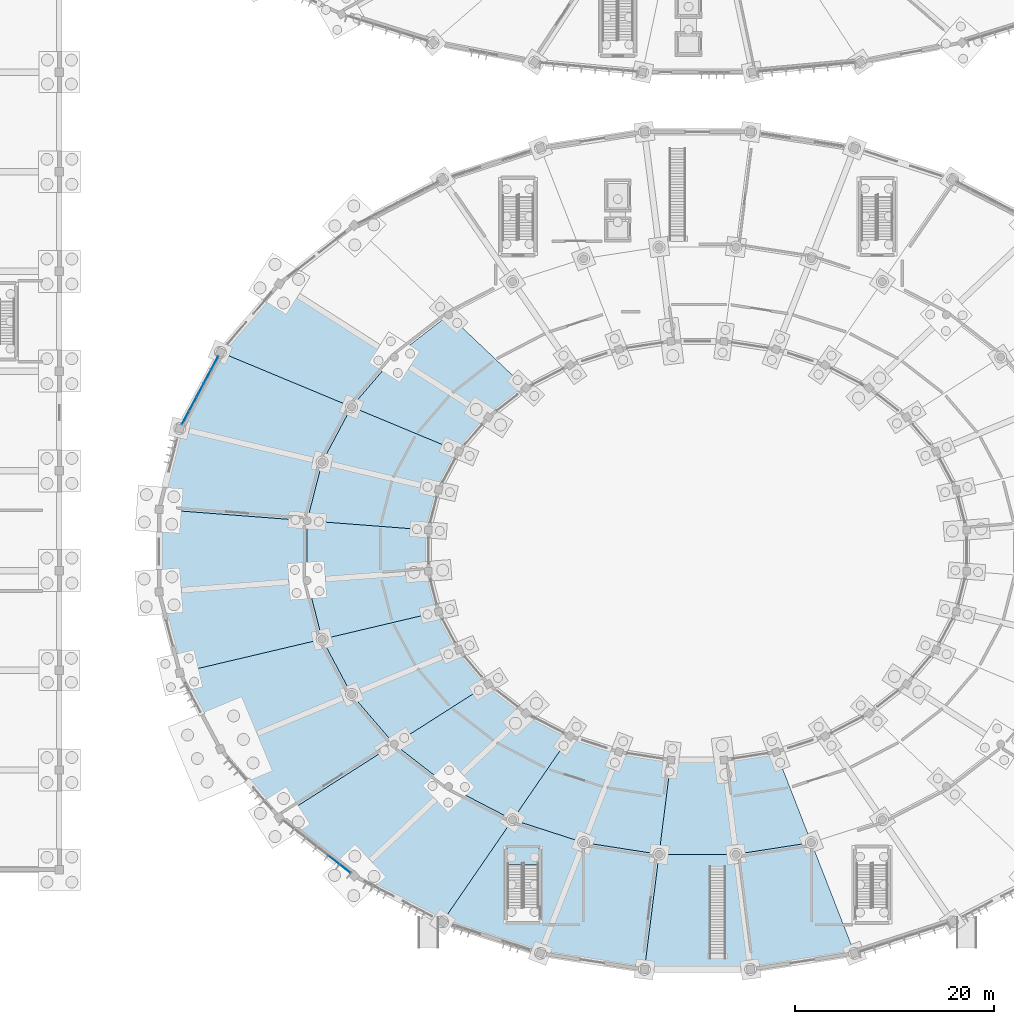
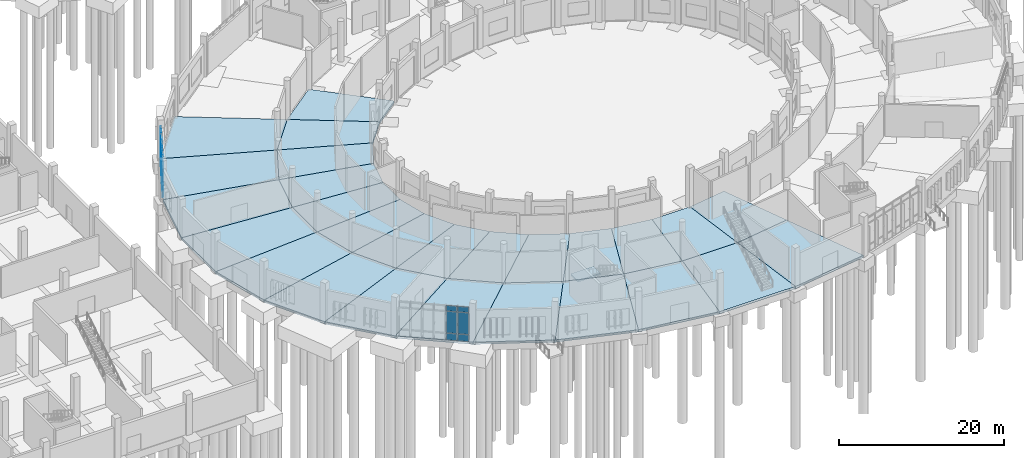
# One storey, part 58 of 140: 28 slabs, 21 plates, 3 elements without a shape of their own.
"""IFC4 building model written with IfcOpenShell, lengths in metres."""

from ifc_helpers import new_model, si_unit, direction, frame, origin, origin_2d, place, context, subcontext, project, spatial, polyline, rectangle, outline, extrude, material, layer, layer_set, type_object, element, aggregate, save


model = new_model("IFC4")

# Units and contexts
model_context = context("Model", 3, precision=1e-05, world=origin(), true_north=direction((0.0, 1.0)))
body_context = subcontext(model_context, "Body", "Model", "MODEL_VIEW")
ifc_project = project(units=[si_unit("LENGTHUNIT", "METRE"), si_unit("AREAUNIT", "SQUARE_METRE"), si_unit("VOLUMEUNIT", "CUBIC_METRE"), si_unit("PLANEANGLEUNIT", "RADIAN"), si_unit("MASSUNIT", "GRAM", prefix="KILO")], contexts=[model_context])

# Site, building, storey
site_placement = place(None, origin())
site = spatial("IfcSite", under=ifc_project, at=site_placement, CompositionType="ELEMENT")
building_placement = place(site_placement, origin())
building = spatial("IfcBuilding", under=site, at=building_placement, Name="Corvandel Quay Wholesale Market", CompositionType="ELEMENT")
storey_placement = place(building_placement, origin())
storey = spatial("IfcBuildingStorey", under=building, at=storey_placement, Name="L00", CompositionType="ELEMENT", Elevation=0.0)

# Curtain wall, plates
ifc_material_1 = material(Name="Bronze anodised aluminium and low-E insulated glazing", Category="aluminium")
ifc_layer_1 = layer(ifc_material_1, 0.197998046875)
ifc_layer_set_1 = layer_set([ifc_layer_1], Name="Bronze anodised aluminium and low-E insulated glazing")
curtain_wall_type_1 = type_object("IfcCurtainWallType", Name="Stick Curtain Wall System CW14 H4260", PredefinedType="NOTDEFINED", material=ifc_layer_set_1)
curtain_wall_1_placement = place(storey_placement, origin())
curtain_wall_1 = element("IfcCurtainWall", 1, at=curtain_wall_1_placement, inside=storey, type_object=curtain_wall_type_1, Name="Curtain Wall CW-0040", PredefinedType="NOTDEFINED")
ifc_material_2 = material(Name="Solar-control low-E insulated glazing", Category="glass")
ifc_layer_2 = layer(ifc_material_2, 0.0400390625)
ifc_layer_set_2 = layer_set([ifc_layer_2], Name="Solar-control low-E insulated glazing")
plate_type_1 = type_object("IfcPlateType", Name="Ceramic Fritted Spandrel Panel PN03 40mm", PredefinedType="CURTAIN_PANEL", material=ifc_layer_set_2)
plate_1_placement = place(storey_placement, frame((65.569580078125, 60.81201171875, 4.33251953125), z_axis=(0.0, 0.0, 1.0), x_axis=(0.470087862033, 0.882619624736, 0.0)))
plate_1 = element("IfcPlate", 2, at=plate_1_placement, type_object=plate_type_1, Name="Glazing Panel CW-0040-P00-2", PredefinedType="CURTAIN_PANEL", context=body_context, shape_type="SweptSolid", body=[
    extrude(rectangle(XDim=1.48681640625, YDim=0.0400390625, at=origin_2d()), origin(), (0.0, 0.0, 1.0), 0.784912109375),
])
plate_2_placement = place(storey_placement, frame((64.840087890625, 59.442138671875, 4.33251953125), z_axis=(0.0, 0.0, 1.0), x_axis=(0.470087862033, 0.882619624736, 0.0)))
plate_2 = element("IfcPlate", 3, at=plate_2_placement, type_object=plate_type_1, Name="Glazing Panel CW-0040-P01-2", PredefinedType="CURTAIN_PANEL", context=body_context, shape_type="SweptSolid", body=[
    extrude(rectangle(XDim=1.48681640625, YDim=0.0400390625, at=origin_2d()), origin(), (0.0, 0.0, 1.0), 0.784912109375),
])
plate_3_placement = place(storey_placement, frame((64.110595703125, 58.072509765625, 4.33251953125), z_axis=(0.0, 0.0, 1.0), x_axis=(0.470087862033, 0.882619624736, 0.0)))
plate_3 = element("IfcPlate", 4, at=plate_3_placement, type_object=plate_type_1, Name="Glazing Panel CW-0040-P02-2", PredefinedType="CURTAIN_PANEL", context=body_context, shape_type="SweptSolid", body=[
    extrude(rectangle(XDim=1.48681640625, YDim=0.0400390625, at=origin_2d()), origin(), (0.0, 0.0, 1.0), 0.784912109375),
])
plate_4_placement = place(storey_placement, frame((63.380859375, 56.702880859375, 4.33251953125), z_axis=(0.0, 0.0, 1.0), x_axis=(0.470087862033, 0.882619624736, 0.0)))
plate_4 = element("IfcPlate", 5, at=plate_4_placement, type_object=plate_type_1, Name="Glazing Panel CW-0040-P03-2", PredefinedType="CURTAIN_PANEL", context=body_context, shape_type="SweptSolid", body=[
    extrude(rectangle(XDim=1.48681640625, YDim=0.0400390625, at=origin_2d()), origin(), (0.0, 0.0, 1.0), 0.784912109375),
])
plate_5_placement = place(storey_placement, frame((62.6513671875, 55.3330078125, 4.33251953125), z_axis=(0.0, 0.0, 1.0), x_axis=(0.470087862033, 0.882619624736, 0.0)))
plate_5 = element("IfcPlate", 6, at=plate_5_placement, type_object=plate_type_1, Name="Glazing Panel CW-0040-P04-2", PredefinedType="CURTAIN_PANEL", context=body_context, shape_type="SweptSolid", body=[
    extrude(rectangle(XDim=1.48681640625, YDim=0.0400390625, at=origin_2d()), origin(), (0.0, 0.0, 1.0), 0.784912109375),
])

ifc_layer_3 = layer(ifc_material_1, 0.14990234375)
ifc_layer_set_3 = layer_set([ifc_layer_3], Name="Bronze anodised aluminium and low-E insulated glazing")
curtain_wall_type_2 = type_object("IfcCurtainWallType", Name="Stick Curtain Wall System CW20 H4800", PredefinedType="NOTDEFINED", material=ifc_layer_set_3)
curtain_wall_2_placement = place(storey_placement, origin())
curtain_wall_2 = element("IfcCurtainWall", 7, at=curtain_wall_2_placement, inside=storey, type_object=curtain_wall_type_2, Name="Curtain Wall CW-0057", PredefinedType="NOTDEFINED")
plate_6_placement = place(storey_placement, frame((77.518798828125, 10.976806640625, 4.33251953125), z_axis=(0.0, 0.0, 1.0), x_axis=(-0.789298462742, 0.614009720373, 0.0)))
plate_6 = element("IfcPlate", 8, at=plate_6_placement, type_object=plate_type_1, Name="Glazing Panel CW-0057-P04-2", PredefinedType="CURTAIN_PANEL", context=body_context, shape_type="SweptSolid", body=[
    extrude(rectangle(XDim=1.373291015625, YDim=0.0400390625, at=origin_2d()), origin(), (0.0, 0.0, 1.0), 0.784912109375),
])
plate_7_placement = place(storey_placement, frame((78.654296875, 10.09375, 4.33251953125), z_axis=(0.0, 0.0, 1.0), x_axis=(-0.789298462742, 0.614009720373, 0.0)))
plate_7 = element("IfcPlate", 9, at=plate_7_placement, type_object=plate_type_1, Name="Glazing Panel CW-0057-P05-2", PredefinedType="CURTAIN_PANEL", context=body_context, shape_type="SweptSolid", body=[
    extrude(rectangle(XDim=1.373291015625, YDim=0.0400390625, at=origin_2d()), origin(), (0.0, 0.0, 1.0), 0.784912109375),
])

# Plate
ifc_layer_4 = layer(ifc_material_2, 0.028076171875)
ifc_layer_set_4 = layer_set([ifc_layer_4], Name="Solar-control low-E insulated glazing")
plate_type_2 = type_object("IfcPlateType", Name="Double Low-E Vision Panel PN01 28mm", PredefinedType="CURTAIN_PANEL", material=ifc_layer_set_4)
plate_8_placement = place(storey_placement, frame((65.569580078125, 60.81201171875, 0.0322265625), z_axis=(0.0, 0.0, 1.0), x_axis=(0.470087862033, 0.882619624736, 0.0)))
plate_8 = element("IfcPlate", 10, at=plate_8_placement, type_object=plate_type_2, Name="Glazing Panel CW-0040-P00-0", PredefinedType="CURTAIN_PANEL", context=body_context, shape_type="SweptSolid", body=[
    extrude(rectangle(XDim=1.48681640625, YDim=0.028076171875, at=origin_2d()), origin(), (0.0, 0.0, 1.0), 0.985107421875),
])

plate_9_placement = place(storey_placement, frame((65.569580078125, 60.81201171875, 1.08251953125), z_axis=(0.0, 0.0, 1.0), x_axis=(0.470087862033, 0.882619624736, 0.0)))
plate_9 = element("IfcPlate", 11, at=plate_9_placement, type_object=plate_type_2, Name="Glazing Panel CW-0040-P00-1", PredefinedType="CURTAIN_PANEL", context=body_context, shape_type="SweptSolid", body=[
    extrude(rectangle(XDim=1.48681640625, YDim=0.028076171875, at=origin_2d()), origin(), (0.0, 0.0, 1.0), 3.18505859375),
])

plate_10_placement = place(storey_placement, frame((64.840087890625, 59.442138671875, 0.0322265625), z_axis=(0.0, 0.0, 1.0), x_axis=(0.470087862033, 0.882619624736, 0.0)))
plate_10 = element("IfcPlate", 12, at=plate_10_placement, type_object=plate_type_2, Name="Glazing Panel CW-0040-P01-0", PredefinedType="CURTAIN_PANEL", context=body_context, shape_type="SweptSolid", body=[
    extrude(rectangle(XDim=1.48681640625, YDim=0.028076171875, at=origin_2d()), origin(), (0.0, 0.0, 1.0), 0.985107421875),
])

plate_11_placement = place(storey_placement, frame((64.840087890625, 59.442138671875, 1.08251953125), z_axis=(0.0, 0.0, 1.0), x_axis=(0.470087862033, 0.882619624736, 0.0)))
plate_11 = element("IfcPlate", 13, at=plate_11_placement, type_object=plate_type_2, Name="Glazing Panel CW-0040-P01-1", PredefinedType="CURTAIN_PANEL", context=body_context, shape_type="SweptSolid", body=[
    extrude(rectangle(XDim=1.48681640625, YDim=0.028076171875, at=origin_2d()), origin(), (0.0, 0.0, 1.0), 3.18505859375),
])

plate_12_placement = place(storey_placement, frame((64.110595703125, 58.072509765625, 0.0322265625), z_axis=(0.0, 0.0, 1.0), x_axis=(0.470087862033, 0.882619624736, 0.0)))
plate_12 = element("IfcPlate", 14, at=plate_12_placement, type_object=plate_type_2, Name="Glazing Panel CW-0040-P02-0", PredefinedType="CURTAIN_PANEL", context=body_context, shape_type="SweptSolid", body=[
    extrude(rectangle(XDim=1.48681640625, YDim=0.028076171875, at=origin_2d()), origin(), (0.0, 0.0, 1.0), 0.985107421875),
])

plate_13_placement = place(storey_placement, frame((64.110595703125, 58.072509765625, 1.08251953125), z_axis=(0.0, 0.0, 1.0), x_axis=(0.470087862033, 0.882619624736, 0.0)))
plate_13 = element("IfcPlate", 15, at=plate_13_placement, type_object=plate_type_2, Name="Glazing Panel CW-0040-P02-1", PredefinedType="CURTAIN_PANEL", context=body_context, shape_type="SweptSolid", body=[
    extrude(rectangle(XDim=1.48681640625, YDim=0.028076171875, at=origin_2d()), origin(), (0.0, 0.0, 1.0), 3.18505859375),
])

plate_14_placement = place(storey_placement, frame((63.380859375, 56.702880859375, 0.0322265625), z_axis=(0.0, 0.0, 1.0), x_axis=(0.470087862033, 0.882619624736, 0.0)))
plate_14 = element("IfcPlate", 16, at=plate_14_placement, type_object=plate_type_2, Name="Glazing Panel CW-0040-P03-0", PredefinedType="CURTAIN_PANEL", context=body_context, shape_type="SweptSolid", body=[
    extrude(rectangle(XDim=1.48681640625, YDim=0.028076171875, at=origin_2d()), origin(), (0.0, 0.0, 1.0), 0.985107421875),
])

plate_15_placement = place(storey_placement, frame((63.380859375, 56.702880859375, 1.08251953125), z_axis=(0.0, 0.0, 1.0), x_axis=(0.470087862033, 0.882619624736, 0.0)))
plate_15 = element("IfcPlate", 17, at=plate_15_placement, type_object=plate_type_2, Name="Glazing Panel CW-0040-P03-1", PredefinedType="CURTAIN_PANEL", context=body_context, shape_type="SweptSolid", body=[
    extrude(rectangle(XDim=1.48681640625, YDim=0.028076171875, at=origin_2d()), origin(), (0.0, 0.0, 1.0), 3.18505859375),
])

plate_16_placement = place(storey_placement, frame((62.6513671875, 55.3330078125, 0.0322265625), z_axis=(0.0, 0.0, 1.0), x_axis=(0.470087862033, 0.882619624736, 0.0)))
plate_16 = element("IfcPlate", 18, at=plate_16_placement, type_object=plate_type_2, Name="Glazing Panel CW-0040-P04-0", PredefinedType="CURTAIN_PANEL", context=body_context, shape_type="SweptSolid", body=[
    extrude(rectangle(XDim=1.48681640625, YDim=0.028076171875, at=origin_2d()), origin(), (0.0, 0.0, 1.0), 0.985107421875),
])

plate_17_placement = place(storey_placement, frame((62.6513671875, 55.3330078125, 1.08251953125), z_axis=(0.0, 0.0, 1.0), x_axis=(0.470087862033, 0.882619624736, 0.0)))
plate_17 = element("IfcPlate", 19, at=plate_17_placement, type_object=plate_type_2, Name="Glazing Panel CW-0040-P04-1", PredefinedType="CURTAIN_PANEL", context=body_context, shape_type="SweptSolid", body=[
    extrude(rectangle(XDim=1.48681640625, YDim=0.028076171875, at=origin_2d()), origin(), (0.0, 0.0, 1.0), 3.18505859375),
])

aggregate(curtain_wall_1, [plate_8, plate_9, plate_1, plate_10, plate_11, plate_2, plate_12, plate_13, plate_3, plate_14, plate_15, plate_4, plate_16, plate_17, plate_5])

plate_18_placement = place(storey_placement, frame((77.518798828125, 10.976806640625, 0.0322265625), z_axis=(0.0, 0.0, 1.0), x_axis=(-0.789298462742, 0.614009720373, 0.0)))
plate_18 = element("IfcPlate", 20, at=plate_18_placement, type_object=plate_type_2, Name="Glazing Panel CW-0057-P04-0", PredefinedType="CURTAIN_PANEL", context=body_context, shape_type="SweptSolid", body=[
    extrude(rectangle(XDim=1.373291015625, YDim=0.028076171875, at=origin_2d()), origin(), (0.0, 0.0, 1.0), 0.985107421875),
])

plate_19_placement = place(storey_placement, frame((77.518798828125, 10.976806640625, 1.08251953125), z_axis=(0.0, 0.0, 1.0), x_axis=(-0.789298462742, 0.614009720373, 0.0)))
plate_19 = element("IfcPlate", 21, at=plate_19_placement, type_object=plate_type_2, Name="Glazing Panel CW-0057-P04-1", PredefinedType="CURTAIN_PANEL", context=body_context, shape_type="SweptSolid", body=[
    extrude(rectangle(XDim=1.373291015625, YDim=0.028076171875, at=origin_2d()), origin(), (0.0, 0.0, 1.0), 3.18505859375),
])

plate_20_placement = place(storey_placement, frame((78.654296875, 10.09375, 0.0322265625), z_axis=(0.0, 0.0, 1.0), x_axis=(-0.789298462742, 0.614009720373, 0.0)))
plate_20 = element("IfcPlate", 22, at=plate_20_placement, type_object=plate_type_2, Name="Glazing Panel CW-0057-P05-0", PredefinedType="CURTAIN_PANEL", context=body_context, shape_type="SweptSolid", body=[
    extrude(rectangle(XDim=1.373291015625, YDim=0.028076171875, at=origin_2d()), origin(), (0.0, 0.0, 1.0), 0.985107421875),
])

plate_21_placement = place(storey_placement, frame((78.654296875, 10.09375, 1.08251953125), z_axis=(0.0, 0.0, 1.0), x_axis=(-0.789298462742, 0.614009720373, 0.0)))
plate_21 = element("IfcPlate", 23, at=plate_21_placement, type_object=plate_type_2, Name="Glazing Panel CW-0057-P05-1", PredefinedType="CURTAIN_PANEL", context=body_context, shape_type="SweptSolid", body=[
    extrude(rectangle(XDim=1.373291015625, YDim=0.028076171875, at=origin_2d()), origin(), (0.0, 0.0, 1.0), 3.18505859375),
])

aggregate(curtain_wall_2, [plate_18, plate_19, plate_6, plate_20, plate_21, plate_7])

# Slabs
ifc_material_3 = material(Name="Concrete C40/50", Category="concrete")
ifc_layer_5 = layer(ifc_material_3, 0.35009765625)
ifc_layer_set_5 = layer_set([ifc_layer_5], Name="Concrete C40/50")
slab_type_1 = type_object("IfcSlabType", Name="Ground Bearing Base Slab 350", PredefinedType="BASESLAB", material=ifc_layer_set_5)
slab_1_placement = place(storey_placement, frame((0.0, 0.0, -0.35009765625)))
element("IfcSlab", 24, at=slab_1_placement, inside=storey, type_object=slab_type_1, Name="Slab SLB-0058", PredefinedType="BASESLAB", context=body_context, shape_type="SweptSolid", body=[
    extrude(outline(polyline([(89.04296875, 65.652099609375), (83.590087890625, 61.410888671875), (93.028076171875, 55.386962890625), (96.7890625, 58.31201171875), (89.04296875, 65.652099609375)])), origin(), (0.0, 0.0, 1.0), 0.35009765625),
])
slab_2_placement = place(storey_placement, frame((0.0, 0.0, -0.35009765625)))
element("IfcSlab", 25, at=slab_2_placement, inside=storey, type_object=slab_type_1, Name="Slab SLB-0062", PredefinedType="BASESLAB", context=body_context, shape_type="SweptSolid", body=[
    extrude(outline(polyline([(72.054931640625, 68.77294921875), (66.14599609375, 61.89404296875), (79.305908203125, 56.423095703125), (83.590087890625, 61.410888671875), (72.054931640625, 68.77294921875)])), origin(), (0.0, 0.0, 1.0), 0.35009765625),
])
slab_3_placement = place(storey_placement, frame((0.0, 0.0, -0.35009765625)))
element("IfcSlab", 26, at=slab_3_placement, inside=storey, type_object=slab_type_1, Name="Slab SLB-0063", PredefinedType="BASESLAB", context=body_context, shape_type="SweptSolid", body=[
    extrude(outline(polyline([(83.590087890625, 61.410888671875), (79.305908203125, 56.423095703125), (90.072998046875, 51.947021484375), (93.028076171875, 55.386962890625), (83.590087890625, 61.410888671875)])), origin(), (0.0, 0.0, 1.0), 0.35009765625),
])
slab_4_placement = place(storey_placement, frame((0.0, 0.0, -0.35009765625)))
element("IfcSlab", 27, at=slab_4_placement, inside=storey, type_object=slab_type_1, Name="Slab SLB-0067", PredefinedType="BASESLAB", context=body_context, shape_type="SweptSolid", body=[
    extrude(outline(polyline([(66.14599609375, 61.89404296875), (62.074951171875, 54.2509765625), (76.35498046875, 50.882080078125), (79.305908203125, 56.423095703125), (66.14599609375, 61.89404296875)])), origin(), (0.0, 0.0, 1.0), 0.35009765625),
])
slab_5_placement = place(storey_placement, frame((0.0, 0.0, -0.35009765625)))
element("IfcSlab", 28, at=slab_5_placement, inside=storey, type_object=slab_type_1, Name="Slab SLB-0068", PredefinedType="BASESLAB", context=body_context, shape_type="SweptSolid", body=[
    extrude(outline(polyline([(79.305908203125, 56.423095703125), (76.35498046875, 50.882080078125), (88.0380859375, 48.125), (90.072998046875, 51.947021484375), (79.305908203125, 56.423095703125)])), origin(), (0.0, 0.0, 1.0), 0.35009765625),
])
slab_6_placement = place(storey_placement, frame((0.0, 0.0, -0.35009765625)))
element("IfcSlab", 29, at=slab_6_placement, inside=storey, type_object=slab_type_1, Name="Slab SLB-0072", PredefinedType="BASESLAB", context=body_context, shape_type="SweptSolid", body=[
    extrude(outline(polyline([(62.074951171875, 54.2509765625), (60.0, 46.136962890625), (74.85009765625, 44.9990234375), (76.35498046875, 50.882080078125), (62.074951171875, 54.2509765625)])), origin(), (0.0, 0.0, 1.0), 0.35009765625),
])
slab_7_placement = place(storey_placement, frame((0.0, 0.0, -0.35009765625)))
element("IfcSlab", 30, at=slab_7_placement, inside=storey, type_object=slab_type_1, Name="Slab SLB-0073", PredefinedType="BASESLAB", context=body_context, shape_type="SweptSolid", body=[
    extrude(outline(polyline([(76.35498046875, 50.882080078125), (74.85009765625, 44.9990234375), (87.0, 44.068115234375), (88.0380859375, 48.125), (76.35498046875, 50.882080078125)])), origin(), (0.0, 0.0, 1.0), 0.35009765625),
])
slab_8_placement = place(storey_placement, frame((0.0, 0.0, -0.35009765625)))
element("IfcSlab", 31, at=slab_8_placement, inside=storey, type_object=slab_type_1, Name="Slab SLB-0077", PredefinedType="BASESLAB", context=body_context, shape_type="SweptSolid", body=[
    extrude(outline(polyline([(60.0, 46.136962890625), (60.0, 37.863037109375), (74.85009765625, 39.0009765625), (74.85009765625, 44.9990234375), (60.0, 46.136962890625)])), origin(), (0.0, 0.0, 1.0), 0.35009765625),
])
slab_9_placement = place(storey_placement, frame((0.0, 0.0, -0.35009765625)))
element("IfcSlab", 32, at=slab_9_placement, inside=storey, type_object=slab_type_1, Name="Slab SLB-0078", PredefinedType="BASESLAB", context=body_context, shape_type="SweptSolid", body=[
    extrude(outline(polyline([(74.85009765625, 44.9990234375), (74.85009765625, 39.0009765625), (87.0, 39.931884765625), (87.0, 44.068115234375), (74.85009765625, 44.9990234375)])), origin(), (0.0, 0.0, 1.0), 0.35009765625),
])
slab_10_placement = place(storey_placement, frame((0.0, 0.0, -0.35009765625)))
element("IfcSlab", 33, at=slab_10_placement, inside=storey, type_object=slab_type_1, Name="Slab SLB-0082", PredefinedType="BASESLAB", context=body_context, shape_type="SweptSolid", body=[
    extrude(outline(polyline([(60.0, 37.863037109375), (62.074951171875, 29.7490234375), (76.35498046875, 33.117919921875), (74.85009765625, 39.0009765625), (60.0, 37.863037109375)])), origin(), (0.0, 0.0, 1.0), 0.35009765625),
])
slab_11_placement = place(storey_placement, frame((0.0, 0.0, -0.35009765625)))
element("IfcSlab", 34, at=slab_11_placement, inside=storey, type_object=slab_type_1, Name="Slab SLB-0083", PredefinedType="BASESLAB", context=body_context, shape_type="SweptSolid", body=[
    extrude(outline(polyline([(74.85009765625, 39.0009765625), (76.35498046875, 33.117919921875), (88.0380859375, 35.875), (87.0, 39.931884765625), (74.85009765625, 39.0009765625)])), origin(), (0.0, 0.0, 1.0), 0.35009765625),
])
slab_12_placement = place(storey_placement, frame((0.0, 0.0, -0.35009765625)))
element("IfcSlab", 35, at=slab_12_placement, inside=storey, type_object=slab_type_1, Name="Slab SLB-0086", PredefinedType="BASESLAB", context=body_context, shape_type="SweptSolid", body=[
    extrude(outline(polyline([(62.074951171875, 29.7490234375), (66.14599609375, 22.10595703125), (79.305908203125, 27.576904296875), (76.35498046875, 33.117919921875), (62.074951171875, 29.7490234375)])), origin(), (0.0, 0.0, 1.0), 0.35009765625),
])
slab_13_placement = place(storey_placement, frame((0.0, 0.0, -0.35009765625)))
element("IfcSlab", 36, at=slab_13_placement, inside=storey, type_object=slab_type_1, Name="Slab SLB-0087", PredefinedType="BASESLAB", context=body_context, shape_type="SweptSolid", body=[
    extrude(outline(polyline([(76.35498046875, 33.117919921875), (79.305908203125, 27.576904296875), (90.072998046875, 32.052978515625), (88.0380859375, 35.875), (76.35498046875, 33.117919921875)])), origin(), (0.0, 0.0, 1.0), 0.35009765625),
])
slab_14_placement = place(storey_placement, frame((0.0, 0.0, -0.35009765625)))
element("IfcSlab", 37, at=slab_14_placement, inside=storey, type_object=slab_type_1, Name="Slab SLB-0090", PredefinedType="BASESLAB", context=body_context, shape_type="SweptSolid", body=[
    extrude(outline(polyline([(66.14599609375, 22.10595703125), (72.054931640625, 15.22705078125), (83.590087890625, 22.589111328125), (79.305908203125, 27.576904296875), (66.14599609375, 22.10595703125)])), origin(), (0.0, 0.0, 1.0), 0.35009765625),
])
slab_15_placement = place(storey_placement, frame((0.0, 0.0, -0.35009765625)))
element("IfcSlab", 38, at=slab_15_placement, inside=storey, type_object=slab_type_1, Name="Slab SLB-0091", PredefinedType="BASESLAB", context=body_context, shape_type="SweptSolid", body=[
    extrude(outline(polyline([(79.305908203125, 27.576904296875), (83.590087890625, 22.589111328125), (93.028076171875, 28.613037109375), (90.072998046875, 32.052978515625), (79.305908203125, 27.576904296875)])), origin(), (0.0, 0.0, 1.0), 0.35009765625),
])
slab_16_placement = place(storey_placement, frame((0.0, 0.0, -0.35009765625)))
element("IfcSlab", 39, at=slab_16_placement, inside=storey, type_object=slab_type_1, Name="Slab SLB-0094", PredefinedType="BASESLAB", context=body_context, shape_type="SweptSolid", body=[
    extrude(outline(polyline([(72.054931640625, 15.22705078125), (79.576904296875, 9.3759765625), (89.04296875, 18.347900390625), (83.590087890625, 22.589111328125), (72.054931640625, 15.22705078125)])), origin(), (0.0, 0.0, 1.0), 0.35009765625),
])
slab_17_placement = place(storey_placement, frame((0.0, 0.0, -0.35009765625)))
element("IfcSlab", 40, at=slab_17_placement, inside=storey, type_object=slab_type_1, Name="Slab SLB-0095", PredefinedType="BASESLAB", context=body_context, shape_type="SweptSolid", body=[
    extrude(outline(polyline([(83.590087890625, 22.589111328125), (89.04296875, 18.347900390625), (96.7890625, 25.68798828125), (93.028076171875, 28.613037109375), (83.590087890625, 22.589111328125)])), origin(), (0.0, 0.0, 1.0), 0.35009765625),
])
slab_18_placement = place(storey_placement, frame((0.0, 0.0, -0.35009765625)))
element("IfcSlab", 41, at=slab_18_placement, inside=storey, type_object=slab_type_1, Name="Slab SLB-0098", PredefinedType="BASESLAB", context=body_context, shape_type="SweptSolid", body=[
    extrude(outline(polyline([(79.576904296875, 9.3759765625), (88.4208984375, 4.780029296875), (95.4560546875, 15.01611328125), (89.04296875, 18.347900390625), (79.576904296875, 9.3759765625)])), origin(), (0.0, 0.0, 1.0), 0.35009765625),
])
slab_19_placement = place(storey_placement, frame((0.0, 0.0, -0.35009765625)))
element("IfcSlab", 42, at=slab_19_placement, inside=storey, type_object=slab_type_1, Name="Slab SLB-0099", PredefinedType="BASESLAB", context=body_context, shape_type="SweptSolid", body=[
    extrude(outline(polyline([(89.04296875, 18.347900390625), (95.4560546875, 15.01611328125), (101.2109375, 23.389892578125), (96.7890625, 25.68798828125), (89.04296875, 18.347900390625)])), origin(), (0.0, 0.0, 1.0), 0.35009765625),
])
slab_20_placement = place(storey_placement, frame((0.0, 0.0, -0.35009765625)))
element("IfcSlab", 43, at=slab_20_placement, inside=storey, type_object=slab_type_1, Name="Slab SLB-0102", PredefinedType="BASESLAB", context=body_context, shape_type="SweptSolid", body=[
    extrude(outline(polyline([(88.4208984375, 4.780029296875), (98.2490234375, 1.614013671875), (102.580078125, 12.719970703125), (95.4560546875, 15.01611328125), (88.4208984375, 4.780029296875)])), origin(), (0.0, 0.0, 1.0), 0.35009765625),
])
slab_21_placement = place(storey_placement, frame((0.0, 0.0, -0.35009765625)))
element("IfcSlab", 44, at=slab_21_placement, inside=storey, type_object=slab_type_1, Name="Slab SLB-0103", PredefinedType="BASESLAB", context=body_context, shape_type="SweptSolid", body=[
    extrude(outline(polyline([(95.4560546875, 15.01611328125), (102.580078125, 12.719970703125), (106.1240234375, 21.806884765625), (101.2109375, 23.389892578125), (95.4560546875, 15.01611328125)])), origin(), (0.0, 0.0, 1.0), 0.35009765625),
])
slab_22_placement = place(storey_placement, frame((0.0, 0.0, -0.35009765625)))
element("IfcSlab", 45, at=slab_22_placement, inside=storey, type_object=slab_type_1, Name="Slab SLB-0106", PredefinedType="BASESLAB", context=body_context, shape_type="SweptSolid", body=[
    extrude(outline(polyline([(98.2490234375, 1.614013671875), (108.680908203125, 0.0), (110.14404296875, 11.550048828125), (102.580078125, 12.719970703125), (98.2490234375, 1.614013671875)])), origin(), (0.0, 0.0, 1.0), 0.35009765625),
])
slab_23_placement = place(storey_placement, frame((0.0, 0.0, -0.35009765625)))
element("IfcSlab", 46, at=slab_23_placement, inside=storey, type_object=slab_type_1, Name="Slab SLB-0107", PredefinedType="BASESLAB", context=body_context, shape_type="SweptSolid", body=[
    extrude(outline(polyline([(102.580078125, 12.719970703125), (110.14404296875, 11.550048828125), (111.341064453125, 21.0), (106.1240234375, 21.806884765625), (102.580078125, 12.719970703125)])), origin(), (0.0, 0.0, 1.0), 0.35009765625),
])
slab_24_placement = place(storey_placement, frame((0.0, 0.0, -0.35009765625)))
element("IfcSlab", 47, at=slab_24_placement, inside=storey, type_object=slab_type_1, Name="Slab SLB-0110", PredefinedType="BASESLAB", context=body_context, shape_type="SweptSolid", body=[
    extrude(outline(polyline([(108.680908203125, 0.0), (119.319091796875, 0.0), (117.85595703125, 11.550048828125), (110.14404296875, 11.550048828125), (108.680908203125, 0.0)])), origin(), (0.0, 0.0, 1.0), 0.35009765625),
])
slab_25_placement = place(storey_placement, frame((0.0, 0.0, -0.35009765625)))
element("IfcSlab", 48, at=slab_25_placement, inside=storey, type_object=slab_type_1, Name="Slab SLB-0111", PredefinedType="BASESLAB", context=body_context, shape_type="SweptSolid", body=[
    extrude(outline(polyline([(110.14404296875, 11.550048828125), (117.85595703125, 11.550048828125), (116.658935546875, 21.0), (111.341064453125, 21.0), (110.14404296875, 11.550048828125)])), origin(), (0.0, 0.0, 1.0), 0.35009765625),
])
slab_26_placement = place(storey_placement, frame((0.0, 0.0, -0.35009765625)))
element("IfcSlab", 49, at=slab_26_placement, inside=storey, type_object=slab_type_1, Name="Slab SLB-0114", PredefinedType="BASESLAB", context=body_context, shape_type="SweptSolid", body=[
    extrude(outline(polyline([(119.319091796875, 0.0), (129.7509765625, 1.614013671875), (125.419921875, 12.719970703125), (117.85595703125, 11.550048828125), (119.319091796875, 0.0)])), origin(), (0.0, 0.0, 1.0), 0.35009765625),
])
slab_27_placement = place(storey_placement, frame((0.0, 0.0, -0.35009765625)))
element("IfcSlab", 50, at=slab_27_placement, inside=storey, type_object=slab_type_1, Name="Slab SLB-0115", PredefinedType="BASESLAB", context=body_context, shape_type="SweptSolid", body=[
    extrude(outline(polyline([(117.85595703125, 11.550048828125), (125.419921875, 12.719970703125), (121.8759765625, 21.806884765625), (116.658935546875, 21.0), (117.85595703125, 11.550048828125)])), origin(), (0.0, 0.0, 1.0), 0.35009765625),
])

# Stair, slab
stair_type = type_object("IfcStairType", Name="Exit Stair Two-Return L00-L01 ST01", PredefinedType="USERDEFINED", material=ifc_material_3)
stair_placement = place(storey_placement, origin())
stair = element("IfcStair", 51, at=stair_placement, inside=storey, type_object=stair_type, Name="Exit Stair STR-005", ObjectType="TWO_RETURN_STAIR", PredefinedType="USERDEFINED")
ifc_layer_6 = layer(ifc_material_3, 0.219970703125)
ifc_layer_set_6 = layer_set([ifc_layer_6], Name="Concrete C40/50")
slab_type_2 = type_object("IfcSlabType", Name="Precast Stair Landing LND01 220", PredefinedType="LANDING", material=ifc_layer_set_6)
slab_28_placement = place(storey_placement, frame((0.0, 0.0, 2.780029296875)))
slab_28 = element("IfcSlab", 52, at=slab_28_placement, type_object=slab_type_2, Name="Stair Landing STR-005-LND", PredefinedType="LANDING", context=body_context, shape_type="SweptSolid", body=[
    extrude(outline(polyline([(94.909912109375, 10.530029296875), (98.090087890625, 10.530029296875), (98.090087890625, 12.239990234375), (94.909912109375, 12.239990234375), (94.909912109375, 10.530029296875)])), origin(), (0.0, 0.0, 1.0), 0.219970703125),
])
aggregate(stair, [slab_28])

save(model, "model.ifc")
